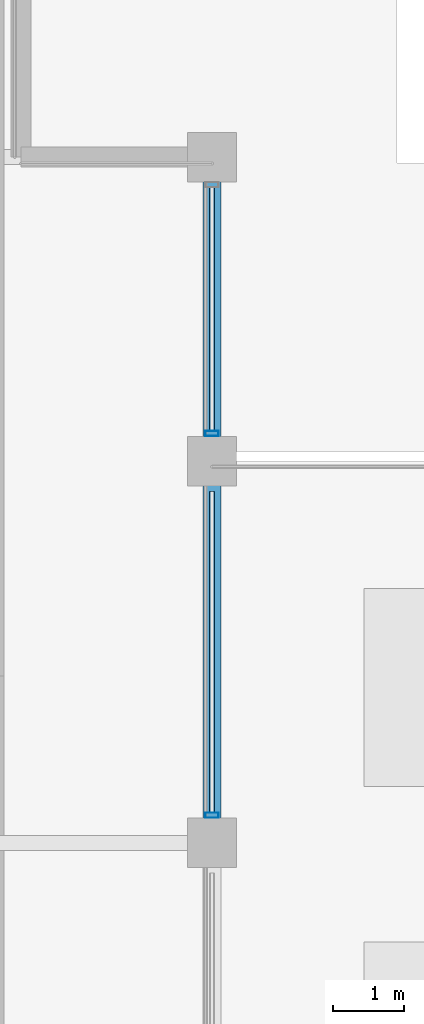
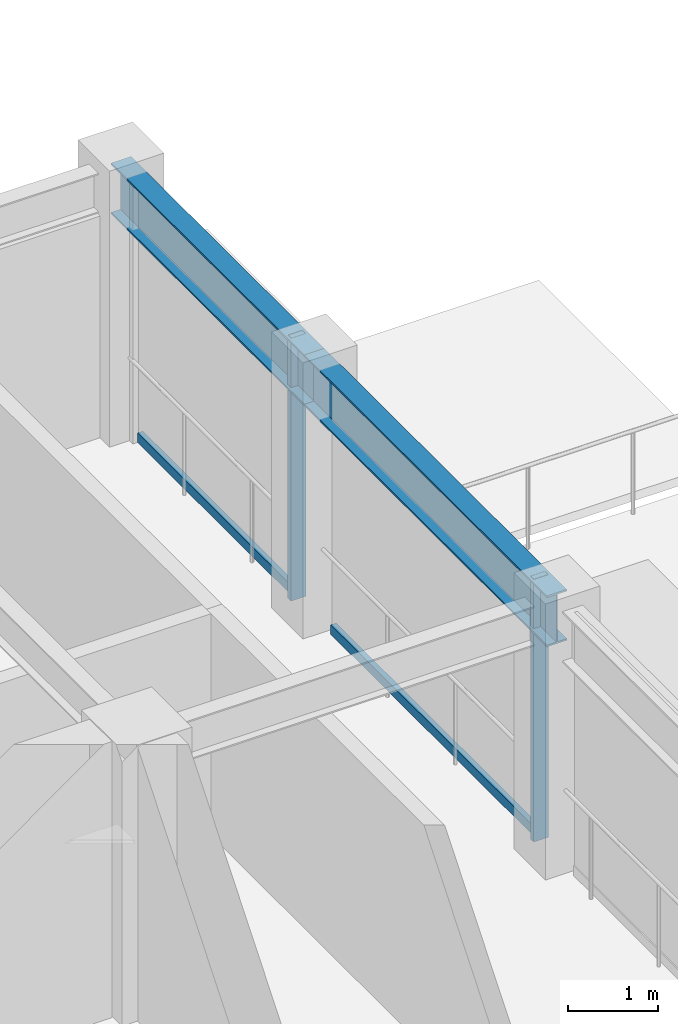
# One storey, part 21 of 34: 4 members, 2 beams, 1 element without a shape of its own.
"""IFC4 building model written with IfcOpenShell, lengths in metres."""

from ifc_helpers import new_model, si_unit, direction, frame, origin, origin_2d, place, context, subcontext, project, spatial, hollow_rectangle, i_section, extrude, material, layer, layer_set, material_profile, profile_set, type_object, element, aggregate, save


model = new_model("IFC4")

# Units and contexts
model_context = context("Model", 3, precision=1e-05, world=origin(), true_north=direction((0.0, 1.0)))
body_context = subcontext(model_context, "Body", "Model", "MODEL_VIEW")
ifc_project = project(units=[si_unit("LENGTHUNIT", "METRE"), si_unit("AREAUNIT", "SQUARE_METRE"), si_unit("VOLUMEUNIT", "CUBIC_METRE"), si_unit("PLANEANGLEUNIT", "RADIAN"), si_unit("MASSUNIT", "GRAM", prefix="KILO")], contexts=[model_context])

# Site, building, storey
site_placement = place(None, origin())
site = spatial("IfcSite", under=ifc_project, at=site_placement, CompositionType="ELEMENT")
building_placement = place(site_placement, origin())
building = spatial("IfcBuilding", under=site, at=building_placement, Name="Surkhivell Harbour Commons", CompositionType="ELEMENT")
storey_placement = place(building_placement, frame((0.0, 0.0, 258.75)))
storey = spatial("IfcBuildingStorey", under=building, at=storey_placement, Name="L67", CompositionType="ELEMENT", Elevation=258.75)

# Beams
ifc_material_1 = material(Name="Steel S355", Category="steel")
ifc_material_profile_1 = material_profile(ifc_material_1, i_section(OverallWidth=0.256103515625, OverallDepth=0.693115234375, WebThickness=0.014404296875, FlangeThickness=0.023681640625, at=origin_2d()), Name="UB686x254x170")
ifc_profile_set_1 = profile_set([ifc_material_profile_1], Name="Steel S355")
beam_type = type_object("IfcBeamType", Name="BM-SPN-686", PredefinedType="SPANDREL", material=ifc_profile_set_1)
beam_1_placement = place(storey_placement, frame((16.199951171875, 10.800048828125, 3.223388671875), z_axis=(0.0, 1.0, 0.0), x_axis=(-1.0, 0.0, 0.0)))
element("IfcBeam", 1, at=beam_1_placement, inside=storey, type_object=beam_type, Name="L67 Tube Spandrel (16.2,10.8)", PredefinedType="SPANDREL", context=body_context, shape_type="SweptSolid", body=[
    extrude(i_section(OverallWidth=0.256103515625, OverallDepth=0.693115234375, WebThickness=0.014404296875, FlangeThickness=0.023681640625, at=origin_2d()), origin(), (0.0, 0.0, 1.0), 5.39990234375),
])
beam_2_placement = place(storey_placement, frame((16.199951171875, 16.199951171875, 3.223388671875), z_axis=(0.0, 1.0, 0.0), x_axis=(-1.0, 0.0, 0.0)))
element("IfcBeam", 2, at=beam_2_placement, inside=storey, type_object=beam_type, Name="L67 Tube Spandrel (16.2,16.2)", PredefinedType="SPANDREL", context=body_context, shape_type="SweptSolid", body=[
    extrude(i_section(OverallWidth=0.256103515625, OverallDepth=0.693115234375, WebThickness=0.014404296875, FlangeThickness=0.023681640625, at=origin_2d()), origin(), (0.0, 0.0, 1.0), 4.300048828125),
])

# Curtain wall, members
ifc_material_2 = material(Name="Anodised pale-metal aluminium and insulated glazing", Category="aluminium")
ifc_layer = layer(ifc_material_2, 0.175048828125)
ifc_layer_set = layer_set([ifc_layer], Name="Anodised pale-metal aluminium and insulated glazing")
curtain_wall_type = type_object("IfcCurtainWallType", Name="CW-SYS-Z4", PredefinedType="NOTDEFINED", material=ifc_layer_set)
curtain_wall_placement = place(storey_placement, origin())
curtain_wall = element("IfcCurtainWall", 3, at=curtain_wall_placement, inside=storey, type_object=curtain_wall_type, Name="L67 Curtain Wall CW-L67-E02B", PredefinedType="NOTDEFINED")
ifc_material_3 = material(Name="Anodised pale-metal aluminium alloy 6063-T6", Category="aluminium")
ifc_material_profile_2 = material_profile(ifc_material_3, hollow_rectangle(XDim=0.074951171875, YDim=0.18994140625, WallThickness=0.00390625, at=origin_2d()), Name="ALU-MULL-75x190")
ifc_profile_set_2 = profile_set([ifc_material_profile_2], Name="Anodised pale-metal aluminium alloy 6063-T6")
member_type_1 = type_object("IfcMemberType", Name="CWM-190", PredefinedType="MULLION", material=ifc_profile_set_2)
member_1_placement = place(storey_placement, frame((16.199951171875, 11.189453125, 0.0), z_axis=(0.0, 0.0, 1.0), x_axis=(0.0, 1.0, 0.0)))
member_1 = element("IfcMember", 4, at=member_1_placement, type_object=member_type_1, Name="CW-Z4 mullion 2", PredefinedType="MULLION", context=body_context, shape_type="SweptSolid", body=[
    extrude(hollow_rectangle(XDim=0.074951171875, YDim=0.18994140625, WallThickness=0.00390625, at=origin_2d()), origin(), (0.0, 0.0, 1.0), 3.570068359375),
])
member_2_placement = place(storey_placement, frame((16.199951171875, 16.589599609375, 0.0), z_axis=(0.0, 0.0, 1.0), x_axis=(0.0, 1.0, 0.0)))
member_2 = element("IfcMember", 5, at=member_2_placement, type_object=member_type_1, Name="CW-Z4 mullion 3", PredefinedType="MULLION", context=body_context, shape_type="SweptSolid", body=[
    extrude(hollow_rectangle(XDim=0.074951171875, YDim=0.18994140625, WallThickness=0.00390625, at=origin_2d()), origin(), (0.0, 0.0, 1.0), 3.570068359375),
])
ifc_material_4 = material(Name="Champagne anodised aluminium alloy 6063-T6", Category="aluminium")
ifc_material_profile_3 = material_profile(ifc_material_4, hollow_rectangle(XDim=0.070068359375, YDim=0.1298828125, WallThickness=0.00341796875, at=origin_2d()), Name="ALU-TRAN-70x130")
ifc_profile_set_3 = profile_set([ifc_material_profile_3], Name="Champagne anodised aluminium alloy 6063-T6")
member_type_2 = type_object("IfcMemberType", Name="CWT-130", PredefinedType="USERDEFINED", material=ifc_profile_set_3)
member_3_placement = place(storey_placement, frame((16.199951171875, 11.22705078125, 0.06494140625), z_axis=(0.0, 1.0, 0.0), x_axis=(-1.0, 0.0, 0.0)))
member_3 = element("IfcMember", 6, at=member_3_placement, type_object=member_type_2, Name="CW-Z4 transom 2.1", ObjectType="TRANSOM", PredefinedType="USERDEFINED", context=body_context, shape_type="SweptSolid", body=[
    extrude(hollow_rectangle(XDim=0.070068359375, YDim=0.1298828125, WallThickness=0.00341796875, at=origin_2d()), origin(), (0.0, 0.0, 1.0), 4.5458984375),
])
member_4_placement = place(storey_placement, frame((16.199951171875, 16.626953125, 0.06494140625), z_axis=(0.0, 1.0, 0.0), x_axis=(-1.0, 0.0, 0.0)))
member_4 = element("IfcMember", 7, at=member_4_placement, type_object=member_type_2, Name="CW-Z4 transom 3.1", ObjectType="TRANSOM", PredefinedType="USERDEFINED", context=body_context, shape_type="SweptSolid", body=[
    extrude(hollow_rectangle(XDim=0.070068359375, YDim=0.1298828125, WallThickness=0.00341796875, at=origin_2d()), origin(), (0.0, 0.0, 1.0), 3.446044921875),
])
aggregate(curtain_wall, [member_1, member_3, member_2, member_4])

save(model, "model.ifc")
